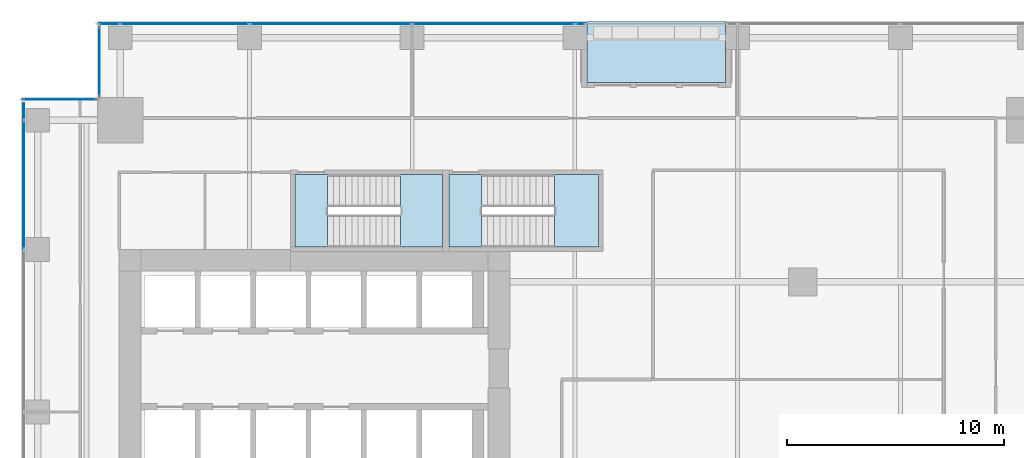
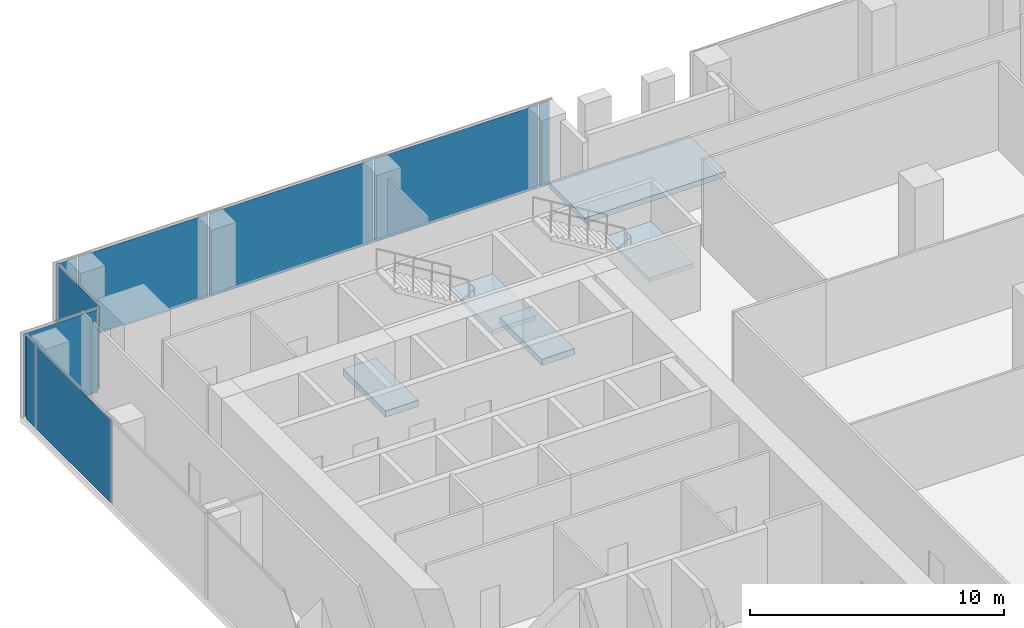
# One storey, part 25 of 33: 9 plates, 5 slabs, 6 elements without a shape of their own.
"""IFC4 building model written with IfcOpenShell, lengths in metres."""

from ifc_helpers import new_model, si_unit, direction, frame, origin, origin_2d, place, context, subcontext, project, spatial, polyline, rectangle, outline, extrude, source, transform, mapped, material, layer, layer_set, type_object, element, aggregate, save


model = new_model("IFC4")

# Units and contexts
model_context = context("Model", 3, precision=1e-05, world=origin(), true_north=direction((0.0, 1.0)))
body_context = subcontext(model_context, "Body", "Model", "MODEL_VIEW")
ifc_project = project(units=[si_unit("LENGTHUNIT", "METRE"), si_unit("AREAUNIT", "SQUARE_METRE"), si_unit("VOLUMEUNIT", "CUBIC_METRE"), si_unit("PLANEANGLEUNIT", "RADIAN"), si_unit("MASSUNIT", "GRAM", prefix="KILO")], contexts=[model_context])

# Site, building, storey
site_placement = place(None, origin())
site = spatial("IfcSite", under=ifc_project, at=site_placement, CompositionType="ELEMENT")
building_placement = place(site_placement, origin())
building = spatial("IfcBuilding", under=site, at=building_placement, Name="Khomas Fold Tower", CompositionType="ELEMENT")
storey_placement = place(building_placement, frame((0.0, 0.0, 149.89990234375)))
storey = spatial("IfcBuildingStorey", under=building, at=storey_placement, Name="L32", CompositionType="ELEMENT", Elevation=149.89990234375)

# Curtain wall, plate
ifc_material_1 = material(Name="Aluminium framed double glazing", Category="aluminium")
curtain_wall_type = type_object("IfcCurtainWallType", Name="SK-Unitised clear-glass wall, growing floors CW1", PredefinedType="NOTDEFINED", material=ifc_material_1)
curtain_wall_1_placement = place(storey_placement, origin())
curtain_wall_1 = element("IfcCurtainWall", 1, at=curtain_wall_1_placement, inside=storey, type_object=curtain_wall_type, Name="CW1 run L32 09-0", PredefinedType="NOTDEFINED")
ifc_material_2 = material(Name="Clear double glazed unit")
ifc_layer_1 = layer(ifc_material_2, 0.031982421875)
ifc_layer_set_1 = layer_set([ifc_layer_1], Name="Clear double glazed unit")
plate_type = type_object("IfcPlateType", Name="SK-Unitised clear-glass wall, growing floors glass panel CW1-P", PredefinedType="CURTAIN_PANEL", material=ifc_layer_set_1)
shared_shape_1 = source(origin(), body_context, "Body", "SweptSolid", [
    extrude(rectangle(XDim=0.760009765625, YDim=0.031982421875, at=origin_2d()), origin(), (0.0, 0.0, 1.0), 3.97998046875),
])
plate_1_placement = place(storey_placement, frame((1.60009765625, 48.360107421875, 0.0), z_axis=(0.0, 0.0, 1.0), x_axis=(0.0, -1.0, 0.0)))
plate_1 = element("IfcPlate", 2, at=plate_1_placement, type_object=plate_type, Name="CW1 glass panel 1", PredefinedType="CURTAIN_PANEL", context=body_context, shape_type="MappedRepresentation", body=[
    mapped(shared_shape_1, transform((0.0, 0.0, 0.0))),
])

curtain_wall_2_placement = place(storey_placement, origin())
curtain_wall_2 = element("IfcCurtainWall", 3, at=curtain_wall_2_placement, inside=storey, type_object=curtain_wall_type, Name="CW1 run L32 06-1", PredefinedType="NOTDEFINED")
shared_shape_2 = source(origin(), body_context, "Body", "SweptSolid", [
    extrude(rectangle(XDim=5.889892578125, YDim=0.031982421875, at=origin_2d()), origin(), (0.0, 0.0, 1.0), 3.97998046875),
])
plate_2_placement = place(storey_placement, frame((9.02490234375, 52.39990234375, 0.0), z_axis=(0.0, 0.0, 1.0), x_axis=(-1.0, 0.0, 0.0)))
plate_2 = element("IfcPlate", 4, at=plate_2_placement, type_object=plate_type, Name="CW1 glass panel 4", PredefinedType="CURTAIN_PANEL", context=body_context, shape_type="MappedRepresentation", body=[
    mapped(shared_shape_2, transform((0.0, 0.0, 0.0))),
])

# Plate
plate_3_placement = place(storey_placement, frame((1.60009765625, 44.97509765625, 0.0), z_axis=(0.0, 0.0, 1.0), x_axis=(0.0, -1.0, 0.0)))
plate_3 = element("IfcPlate", 5, at=plate_3_placement, type_object=plate_type, Name="CW1 glass panel 2", PredefinedType="CURTAIN_PANEL", context=body_context, shape_type="MappedRepresentation", body=[
    mapped(shared_shape_2, transform((0.0, 0.0, 0.0))),
])

aggregate(curtain_wall_1, [plate_1, plate_3])

shared_shape_3 = source(origin(), body_context, "Body", "SweptSolid", [
    extrude(rectangle(XDim=7.43994140625, YDim=0.031982421875, at=origin_2d()), origin(), (0.0, 0.0, 1.0), 3.97998046875),
])
plate_4_placement = place(storey_placement, frame((23.25, 52.39990234375, 0.0), z_axis=(0.0, 0.0, 1.0), x_axis=(-1.0, 0.0, 0.0)))
plate_4 = element("IfcPlate", 6, at=plate_4_placement, type_object=plate_type, Name="CW1 glass panel 2", PredefinedType="CURTAIN_PANEL", context=body_context, shape_type="MappedRepresentation", body=[
    mapped(shared_shape_3, transform((0.0, 0.0, 0.0))),
])

plate_5_placement = place(storey_placement, frame((15.75, 52.39990234375, 0.0), z_axis=(0.0, 0.0, 1.0), x_axis=(-1.0, 0.0, 0.0)))
plate_5 = element("IfcPlate", 7, at=plate_5_placement, type_object=plate_type, Name="CW1 glass panel 3", PredefinedType="CURTAIN_PANEL", context=body_context, shape_type="MappedRepresentation", body=[
    mapped(shared_shape_3, transform((0.0, 0.0, 0.0))),
])

shared_shape_4 = source(origin(), body_context, "Body", "SweptSolid", [
    extrude(rectangle(XDim=0.9599609375, YDim=0.031982421875, at=origin_2d()), origin(), (0.0, 0.0, 1.0), 3.97998046875),
])
plate_6_placement = place(storey_placement, frame((5.5400390625, 52.39990234375, 0.0), z_axis=(0.0, 0.0, 1.0), x_axis=(-1.0, 0.0, 0.0)))
plate_6 = element("IfcPlate", 8, at=plate_6_placement, type_object=plate_type, Name="CW1 glass panel 5", PredefinedType="CURTAIN_PANEL", context=body_context, shape_type="MappedRepresentation", body=[
    mapped(shared_shape_4, transform((0.0, 0.0, 0.0))),
])

# Curtain wall, plate
curtain_wall_3_placement = place(storey_placement, origin())
curtain_wall_3 = element("IfcCurtainWall", 9, at=curtain_wall_3_placement, inside=storey, type_object=curtain_wall_type, Name="CW1 corner return L32 07", PredefinedType="NOTDEFINED")
shared_shape_5 = source(origin(), body_context, "Body", "SweptSolid", [
    extrude(rectangle(XDim=3.179931640625, YDim=0.031982421875, at=origin_2d()), origin(), (0.0, 0.0, 1.0), 3.97998046875),
])
plate_7_placement = place(storey_placement, frame((5.10009765625, 50.64990234375, 0.0), z_axis=(0.0, 0.0, 1.0), x_axis=(0.0, -1.0, 0.0)))
plate_7 = element("IfcPlate", 10, at=plate_7_placement, type_object=plate_type, Name="CW1 glass panel 1", PredefinedType="CURTAIN_PANEL", context=body_context, shape_type="MappedRepresentation", body=[
    mapped(shared_shape_5, transform((0.0, 0.0, 0.0))),
])
aggregate(curtain_wall_3, [plate_7])

curtain_wall_4_placement = place(storey_placement, origin())
curtain_wall_4 = element("IfcCurtainWall", 11, at=curtain_wall_4_placement, inside=storey, type_object=curtain_wall_type, Name="CW1 corner return L32 08", PredefinedType="NOTDEFINED")
shared_shape_6 = source(origin(), body_context, "Body", "SweptSolid", [
    extrude(rectangle(XDim=3.3798828125, YDim=0.031982421875, at=origin_2d()), origin(), (0.0, 0.0, 1.0), 3.97998046875),
])
plate_8_placement = place(storey_placement, frame((3.25, 48.89990234375, 0.0), z_axis=(0.0, 0.0, 1.0), x_axis=(-1.0, 0.0, 0.0)))
plate_8 = element("IfcPlate", 12, at=plate_8_placement, type_object=plate_type, Name="CW1 glass panel 1", PredefinedType="CURTAIN_PANEL", context=body_context, shape_type="MappedRepresentation", body=[
    mapped(shared_shape_6, transform((0.0, 0.0, 0.0))),
])
aggregate(curtain_wall_4, [plate_8])

# Plate
shared_shape_7 = source(origin(), body_context, "Body", "SweptSolid", [
    extrude(rectangle(XDim=0.4599609375, YDim=0.031982421875, at=origin_2d()), origin(), (0.0, 0.0, 1.0), 3.97998046875),
])
plate_9_placement = place(storey_placement, frame((27.260009765625, 52.39990234375, 0.0), z_axis=(0.0, 0.0, 1.0), x_axis=(-1.0, 0.0, 0.0)))
plate_9 = element("IfcPlate", 13, at=plate_9_placement, type_object=plate_type, Name="CW1 glass panel 1", PredefinedType="CURTAIN_PANEL", context=body_context, shape_type="MappedRepresentation", body=[
    mapped(shared_shape_7, transform((0.0, 0.0, 0.0))),
])

aggregate(curtain_wall_2, [plate_9, plate_4, plate_5, plate_2, plate_6])

# Slab
ifc_material_3 = material(Name="Concrete C40/50", Category="concrete")
ifc_layer_2 = layer(ifc_material_3, 0.2548828125)
ifc_layer_set_2 = layer_set([ifc_layer_2], Name="Concrete C40/50")
slab_type_1 = type_object("IfcSlabType", Name="BL-Balcony deck 255", PredefinedType="FLOOR", material=ifc_layer_set_2)
shared_shape_8 = source(origin(), body_context, "Body", "SweptSolid", [
    extrude(outline(polyline([(27.550048828125, 49.699951171875), (33.949951171875, 49.699951171875), (33.949951171875, 52.5), (27.550048828125, 52.5), (27.550048828125, 49.699951171875)])), origin(), (0.0, 0.0, 1.0), 0.2548828125),
])
slab_1_placement = place(storey_placement, frame((0.0, 0.0, -0.2998046875)))
element("IfcSlab", 14, at=slab_1_placement, inside=storey, type_object=slab_type_1, Name="Balcony deck BAL-L32-N3", PredefinedType="FLOOR", context=body_context, shape_type="MappedRepresentation", body=[
    mapped(shared_shape_8, transform((0.0, 0.0, 0.0))),
])

# Stair, slab
ifc_material_4 = material(Name="Concrete C40/50", Category="concrete")
stair_type_1 = type_object("IfcStairType", Name="Stair ST1", PredefinedType="HALF_TURN_STAIR", material=ifc_material_4)
stair_1_placement = place(storey_placement, origin())
stair_1 = element("IfcStair", 15, at=stair_1_placement, inside=storey, type_object=stair_type_1, Name="L32 ST1", PredefinedType="HALF_TURN_STAIR")
ifc_material_5 = material(Name="Concrete C40/50", Category="concrete")
ifc_layer_3 = layer(ifc_material_5, 0.199951171875)
ifc_layer_set_3 = layer_set([ifc_layer_3], Name="Concrete C40/50")
slab_type_2 = type_object("IfcSlabType", Name="Stair landing 200", PredefinedType="LANDING", material=ifc_layer_set_3)
shared_shape_9 = source(origin(), body_context, "Body", "SweptSolid", [
    extrude(outline(polyline([(18.9599609375, 42.10009765625), (20.89990234375, 42.10009765625), (20.89990234375, 45.449951171875), (18.9599609375, 45.449951171875), (18.9599609375, 42.10009765625)])), origin(), (0.0, 0.0, 1.0), 0.2001953125),
])
slab_2_placement = place(storey_placement, frame((0.0, 0.0, 2.0)))
slab_2 = element("IfcSlab", 16, at=slab_2_placement, type_object=slab_type_2, Name="ST1 landing 1", PredefinedType="LANDING", context=body_context, shape_type="MappedRepresentation", body=[
    mapped(shared_shape_9, transform((0.0, 0.0, 0.0))),
])
aggregate(stair_1, [slab_2])

# Slab
ifc_material_6 = material(Name="Concrete C40/50", Category="concrete")
ifc_layer_4 = layer(ifc_material_6, 0.300048828125)
ifc_layer_set_4 = layer_set([ifc_layer_4], Name="Concrete C40/50")
slab_type_3 = type_object("IfcSlabType", Name="Stair floor landing 300", PredefinedType="LANDING", material=ifc_layer_set_4)
shared_shape_10 = source(origin(), body_context, "Body", "SweptSolid", [
    extrude(outline(polyline([(15.60009765625, 42.10009765625), (14.10009765625, 42.10009765625), (14.10009765625, 45.449951171875), (15.60009765625, 45.449951171875), (15.60009765625, 42.10009765625)])), origin(), (0.0, 0.0, 1.0), 0.2998046875),
])
slab_3_placement = place(storey_placement, frame((0.0, 0.0, -0.2998046875)))
element("IfcSlab", 17, at=slab_3_placement, inside=storey, type_object=slab_type_3, Name="ST1 floor landing", PredefinedType="LANDING", context=body_context, shape_type="MappedRepresentation", body=[
    mapped(shared_shape_10, transform((0.0, 0.0, 0.0))),
])

# Stair, slab
ifc_material_7 = material(Name="Concrete C40/50", Category="concrete")
stair_type_2 = type_object("IfcStairType", Name="Stair ST3", PredefinedType="HALF_TURN_STAIR", material=ifc_material_7)
stair_2_placement = place(storey_placement, origin())
stair_2 = element("IfcStair", 18, at=stair_2_placement, inside=storey, type_object=stair_type_2, Name="L32 ST3", PredefinedType="HALF_TURN_STAIR")
shared_shape_11 = source(origin(), body_context, "Body", "SweptSolid", [
    extrude(outline(polyline([(26.06005859375, 42.10009765625), (28.10009765625, 42.10009765625), (28.10009765625, 45.449951171875), (26.06005859375, 45.449951171875), (26.06005859375, 42.10009765625)])), origin(), (0.0, 0.0, 1.0), 0.2001953125),
])
slab_4_placement = place(storey_placement, frame((0.0, 0.0, 2.0)))
slab_4 = element("IfcSlab", 19, at=slab_4_placement, type_object=slab_type_2, Name="ST3 landing 1", PredefinedType="LANDING", context=body_context, shape_type="MappedRepresentation", body=[
    mapped(shared_shape_11, transform((0.0, 0.0, 0.0))),
])
aggregate(stair_2, [slab_4])

# Slab
shared_shape_12 = source(origin(), body_context, "Body", "SweptSolid", [
    extrude(outline(polyline([(22.699951171875, 42.10009765625), (21.199951171875, 42.10009765625), (21.199951171875, 45.449951171875), (22.699951171875, 45.449951171875), (22.699951171875, 42.10009765625)])), origin(), (0.0, 0.0, 1.0), 0.2998046875),
])
slab_5_placement = place(storey_placement, frame((0.0, 0.0, -0.2998046875)))
element("IfcSlab", 20, at=slab_5_placement, inside=storey, type_object=slab_type_3, Name="ST3 floor landing", PredefinedType="LANDING", context=body_context, shape_type="MappedRepresentation", body=[
    mapped(shared_shape_12, transform((0.0, 0.0, 0.0))),
])

save(model, "model.ifc")
